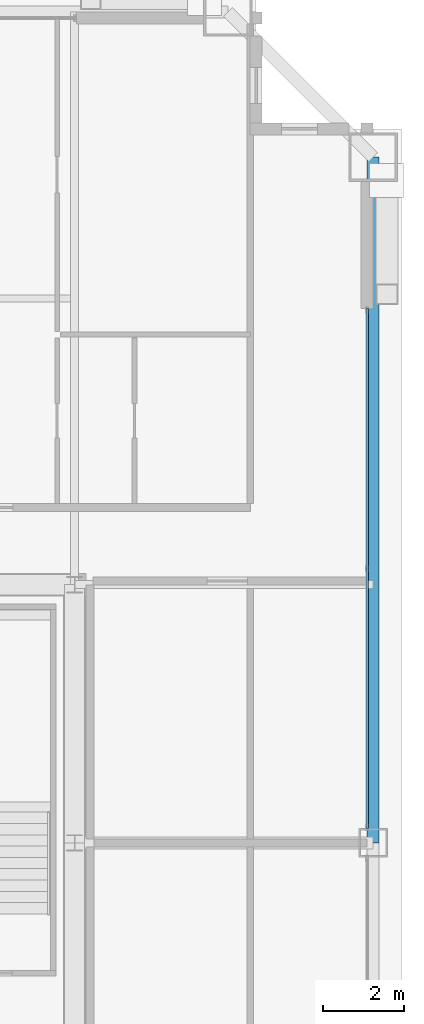
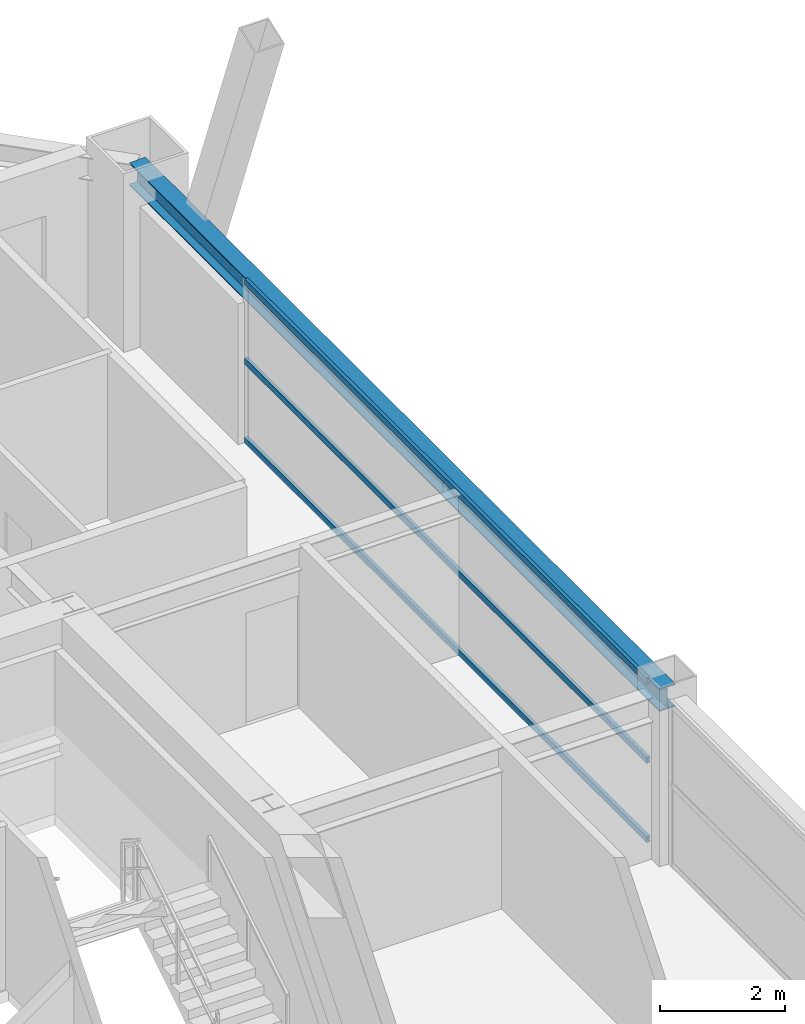
# One storey, part 20 of 36: 3 members, 1 beam, 1 element without a shape of its own.
"""IFC4 building model written with IfcOpenShell, lengths in metres."""

from ifc_helpers import new_model, si_unit, direction, frame, origin, origin_2d, place, context, subcontext, project, spatial, hollow_rectangle, i_section, extrude, source, transform, mapped, material, layer, layer_set, material_profile, profile_set, type_object, element, aggregate, save


model = new_model("IFC4")

# Units and contexts
model_context = context("Model", 3, precision=1e-05, world=origin(), true_north=direction((0.0, 1.0)))
body_context = subcontext(model_context, "Body", "Model", "MODEL_VIEW")
ifc_project = project(units=[si_unit("LENGTHUNIT", "METRE"), si_unit("AREAUNIT", "SQUARE_METRE"), si_unit("VOLUMEUNIT", "CUBIC_METRE"), si_unit("PLANEANGLEUNIT", "RADIAN"), si_unit("MASSUNIT", "GRAM", prefix="KILO"), si_unit("THERMODYNAMICTEMPERATUREUNIT", "KELVIN"), si_unit("POWERUNIT", "WATT")], contexts=[model_context])

# Site, building, storey
site_placement = place(None, origin())
site = spatial("IfcSite", under=ifc_project, at=site_placement, CompositionType="ELEMENT")
building_placement = place(site_placement, origin())
building = spatial("IfcBuilding", under=site, at=building_placement, Name="Yuzanri Waterfront Tower", CompositionType="ELEMENT")
storey_placement = place(building_placement, frame((0.0, 0.0, 255.60009765625)))
storey = spatial("IfcBuildingStorey", under=building, at=storey_placement, Name="L68", CompositionType="ELEMENT", Elevation=255.60009765625)

# Beam
ifc_material_1 = material(Name="Steel Q355B", Category="steel")
ifc_material_profile_1 = material_profile(ifc_material_1, i_section(OverallWidth=0.300048828125, OverallDepth=0.43994140625, WebThickness=0.010986328125, FlangeThickness=0.01806640625, at=origin_2d()), Name="HM 440x300x11x18")
ifc_profile_set_1 = profile_set([ifc_material_profile_1], Name="Steel Q355B")
beam_type = type_object("IfcBeamType", Name="Perimeter Spandrel Q355B HM 440x300", PredefinedType="SPANDREL", material=ifc_profile_set_1)
shared_shape_1 = source(origin(), body_context, "Body", "SweptSolid", [
    extrude(i_section(OverallWidth=0.300048828125, OverallDepth=0.43994140625, WebThickness=0.010986328125, FlangeThickness=0.01806640625, at=origin_2d()), origin(), (0.0, 0.0, 1.0), 17.0),
])
beam_placement = place(storey_placement, frame((57.60009765625, 25.800048828125, 2.97998046875), z_axis=(0.0, 1.0, 0.0), x_axis=(-1.0, 0.0, 0.0)))
element("IfcBeam", 1, at=beam_placement, inside=storey, type_object=beam_type, Name="L68 Perimeter Spandrel E2-E3", PredefinedType="SPANDREL", context=body_context, shape_type="MappedRepresentation", body=[
    mapped(shared_shape_1, transform((0.0, 0.0, 0.0), scale=1.0)),
])

# Curtain wall, members
ifc_material_2 = material(Name="Anodized Architectural Bronze", Category="metal")
ifc_layer = layer(ifc_material_2, 0.159912109375)
ifc_layer_set = layer_set([ifc_layer], Name="Anodized Architectural Bronze")
curtain_wall_type = type_object("IfcCurtainWallType", Name="Anodized Bronze Mid-Rise Residential Acoustic Unitized Curtain Wall 7200", PredefinedType="NOTDEFINED", material=ifc_layer_set)
curtain_wall_placement = place(storey_placement, origin())
curtain_wall = element("IfcCurtainWall", 2, at=curtain_wall_placement, inside=storey, type_object=curtain_wall_type, Name="L68 Curtain Wall CW-L68-ER", PredefinedType="NOTDEFINED")
ifc_material_3 = material(Name="Anodized Architectural Bronze", Category="metal")
ifc_material_profile_2 = material_profile(ifc_material_3, hollow_rectangle(XDim=0.06494140625, YDim=0.1201171875, WallThickness=0.00341796875, at=origin_2d()), Name="CWT 65x120")
ifc_profile_set_2 = profile_set([ifc_material_profile_2], Name="Anodized Architectural Bronze")
member_type = type_object("IfcMemberType", Name="Anodized Bronze Secondary Curtain-Wall Transom 65x120", PredefinedType="USERDEFINED", material=ifc_profile_set_2)
shared_shape_2 = source(origin(), body_context, "Body", "SweptSolid", [
    extrude(hollow_rectangle(XDim=0.06494140625, YDim=0.1201171875, WallThickness=0.00341796875, at=origin_2d()), origin(), (0.0, 0.0, 1.0), 12.900146484375),
])
member_1_placement = place(storey_placement, frame((57.449951171875, 26.14990234375, 0.0498046875), z_axis=(0.0, 1.0, 0.0), x_axis=(-1.0, 0.0, 0.0)))
member_1 = element("IfcMember", 3, at=member_1_placement, type_object=member_type, Name="CW-L68-ER Transom 1", ObjectType="TRANSOM", PredefinedType="USERDEFINED", context=body_context, shape_type="MappedRepresentation", body=[
    mapped(shared_shape_2, transform((0.0, 0.0, 0.0), scale=1.0)),
])
member_2_placement = place(storey_placement, frame((57.449951171875, 26.14990234375, 1.599853515625), z_axis=(0.0, 1.0, 0.0), x_axis=(-1.0, 0.0, 0.0)))
member_2 = element("IfcMember", 4, at=member_2_placement, type_object=member_type, Name="CW-L68-ER Transom 2", ObjectType="TRANSOM", PredefinedType="USERDEFINED", context=body_context, shape_type="MappedRepresentation", body=[
    mapped(shared_shape_2, transform((0.0, 0.0, 0.0), scale=1.0)),
])
member_3_placement = place(storey_placement, frame((57.449951171875, 26.14990234375, 3.14990234375), z_axis=(0.0, 1.0, 0.0), x_axis=(-1.0, 0.0, 0.0)))
member_3 = element("IfcMember", 5, at=member_3_placement, type_object=member_type, Name="CW-L68-ER Transom 3", ObjectType="TRANSOM", PredefinedType="USERDEFINED", context=body_context, shape_type="MappedRepresentation", body=[
    mapped(shared_shape_2, transform((0.0, 0.0, 0.0), scale=1.0)),
])
aggregate(curtain_wall, [member_1, member_2, member_3])

save(model, "model.ifc")
